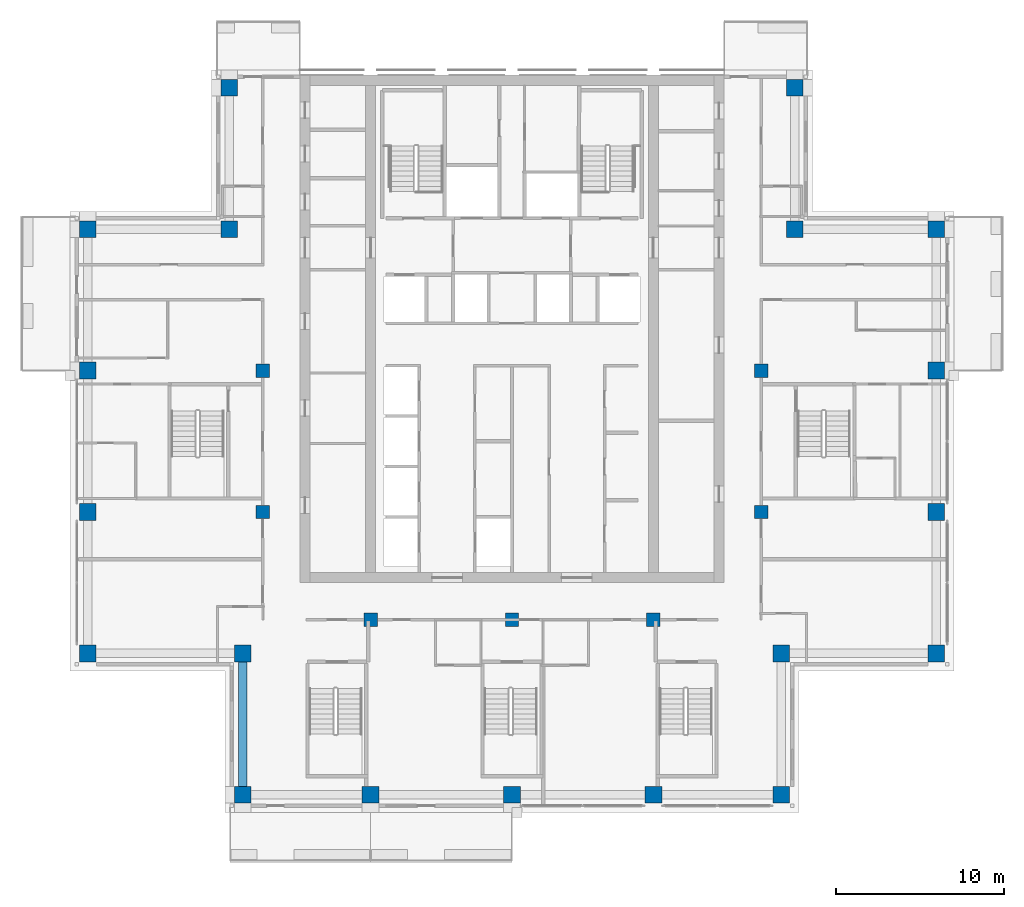
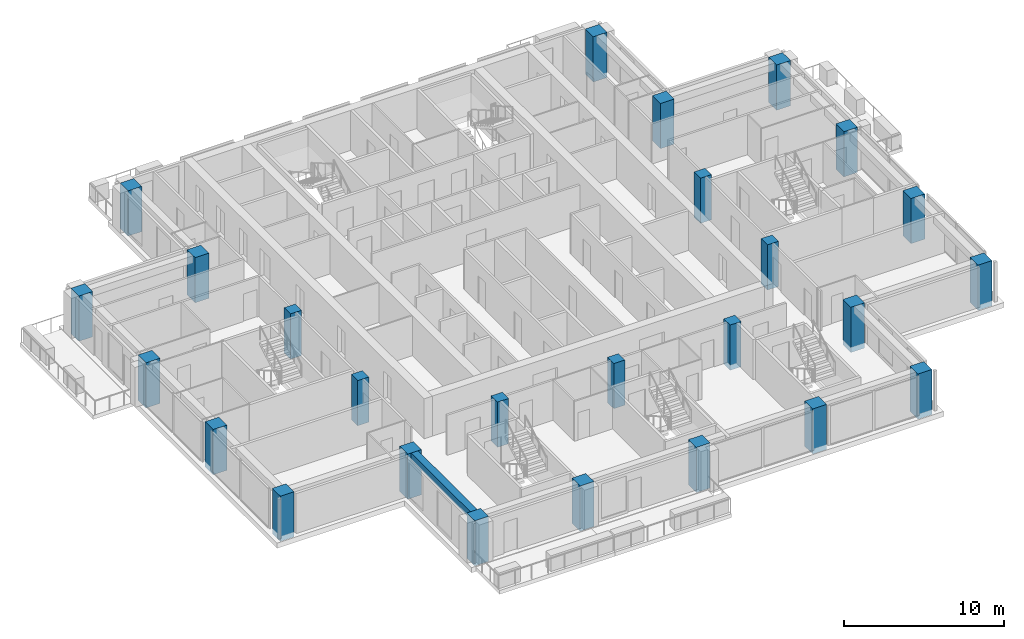
# One storey, part 1 of 15: 26 columns, 1 beam.
"""IFC4 building model written with IfcOpenShell, lengths in metres."""

from ifc_helpers import new_model, si_unit, direction, frame, origin, origin_2d, place, context, subcontext, project, spatial, rectangle, extrude, material, material_profile, profile_set, type_object, element, save


model = new_model("IFC4")

# Units and contexts
model_context = context("Model", 3, precision=1e-05, world=origin(), true_north=direction((0.0, 1.0)))
body_context = subcontext(model_context, "Body", "Model", "MODEL_VIEW")
ifc_project = project(units=[si_unit("LENGTHUNIT", "METRE"), si_unit("AREAUNIT", "SQUARE_METRE"), si_unit("VOLUMEUNIT", "CUBIC_METRE"), si_unit("PLANEANGLEUNIT", "RADIAN"), si_unit("MASSUNIT", "GRAM", prefix="KILO")], contexts=[model_context])

# Site, building, storey
site_placement = place(None, origin())
site = spatial("IfcSite", under=ifc_project, at=site_placement, CompositionType="ELEMENT")
building_placement = place(site_placement, origin())
building = spatial("IfcBuilding", under=site, at=building_placement, Name="Vermilion Ogive Tower", CompositionType="ELEMENT")
storey_placement = place(building_placement, frame((0.0, 0.0, 210.050048828125)))
storey = spatial("IfcBuildingStorey", under=building, at=storey_placement, Name="L55", CompositionType="ELEMENT", Elevation=210.050048828125)

# Columns
ifc_material_1 = material(Name="Concrete B60", Category="concrete")
ifc_material_profile_1 = material_profile(ifc_material_1, rectangle(XDim=1.0, YDim=1.0, at=origin_2d()), Name="1000 x 1000")
ifc_profile_set_1 = profile_set([ifc_material_profile_1], Name="Concrete B60")
column_type_1 = type_object("IfcColumnType", Name="Perimeter column 1000 x 1000 B60", PredefinedType="COLUMN", material=ifc_profile_set_1)
for number, where, z_axis, x_axis, name in (
    (1, (-16.0, -21.0, -0.400146484375), (0.0, 0.0, 1.0), (1.0, 0.0, 0.0), "COL-L55-P-0160-210"),
    (2, (-8.39990234375, -21.0, -0.400146484375), (0.0, 0.0, 1.0), (1.0, 0.0, 0.0), "COL-L55-P-0084-210"),
    (3, (0.0, -21.0, -0.400146484375), (0.0, 0.0, 1.0), (1.0, 0.0, 0.0), "COL-L55-P+0000-210"),
    (4, (8.39990234375, -21.0, -0.400146484375), (0.0, 0.0, 1.0), (1.0, 0.0, 0.0), "COL-L55-P+0084-210"),
    (5, (16.0, -21.0, -0.400146484375), (0.0, 0.0, 1.0), (1.0, 0.0, 0.0), "COL-L55-P+0160-210"),
    (6, (-25.199951171875, -12.60009765625, -0.400146484375), (0.0, 0.0, 1.0), (1.0, 0.0, 0.0), "COL-L55-P-0252-126"),
    (7, (-16.0, -12.60009765625, -0.400146484375), (0.0, 0.0, 1.0), (1.0, 0.0, 0.0), "COL-L55-P-0160-126"),
    (8, (16.0, -12.60009765625, -0.400146484375), (0.0, 0.0, 1.0), (1.0, 0.0, 0.0), "COL-L55-P+0160-126"),
    (9, (25.199951171875, -12.60009765625, -0.400146484375), (0.0, 0.0, 1.0), (1.0, 0.0, 0.0), "COL-L55-P+0252-126"),
    (10, (-25.199951171875, -4.199951171875, -0.400146484375), (0.0, 0.0, 1.0), (1.0, 0.0, 0.0), "COL-L55-P-0252-042"),
    (11, (25.199951171875, -4.199951171875, -0.400146484375), (0.0, 0.0, 1.0), (1.0, 0.0, 0.0), "COL-L55-P+0252-042"),
    (12, (-25.199951171875, 4.199951171875, -0.400146484375), (0.0, 0.0, 1.0), (1.0, 0.0, 0.0), "COL-L55-P-0252+042"),
    (13, (25.199951171875, 4.199951171875, -0.400146484375), (0.0, 0.0, 1.0), (1.0, 0.0, 0.0), "COL-L55-P+0252+042"),
    (14, (-25.199951171875, 12.60009765625, -0.400146484375), (0.0, 0.0, 1.0), (1.0, 0.0, 0.0), "COL-L55-P-0252+126"),
    (15, (-16.800048828125, 12.60009765625, -0.400146484375), (0.0, 0.0, 1.0), (1.0, 0.0, 0.0), "COL-L55-P-0168+126"),
    (16, (16.800048828125, 12.60009765625, -0.400146484375), (0.0, 0.0, 1.0), (1.0, 0.0, 0.0), "COL-L55-P+0168+126"),
    (17, (25.199951171875, 12.60009765625, -0.400146484375), (0.0, 0.0, 1.0), (1.0, 0.0, 0.0), "COL-L55-P+0252+126"),
    (18, (-16.800048828125, 21.0, -0.400146484375), (0.0, 0.0, 1.0), (1.0, 0.0, 0.0), "COL-L55-P-0168+210"),
    (19, (16.800048828125, 21.0, -0.400146484375), (0.0, 0.0, 1.0), (1.0, 0.0, 0.0), "COL-L55-P+0168+210"),
):
    element("IfcColumn", number, at=place(storey_placement, frame(where, z_axis=z_axis, x_axis=x_axis)), inside=storey, type_object=column_type_1, Name=name, PredefinedType="COLUMN", context=body_context, shape_type="SweptSolid", body=[
        extrude(rectangle(XDim=1.0, YDim=1.0, at=origin_2d()), origin(), (0.0, 0.0, 1.0), 3.4501953125),
    ])
ifc_material_2 = material(Name="Concrete B60", Category="concrete")
ifc_material_profile_2 = material_profile(ifc_material_2, rectangle(XDim=0.800048828125, YDim=0.800048828125, at=origin_2d()), Name="800 x 800")
ifc_profile_set_2 = profile_set([ifc_material_profile_2], Name="Concrete B60")
column_type_2 = type_object("IfcColumnType", Name="Ring column 800 x 800 B60", PredefinedType="COLUMN", material=ifc_profile_set_2)
for number, where, z_axis, x_axis, name in (
    (20, (-8.39990234375, -10.60009765625, -0.400146484375), (0.0, 0.0, 1.0), (1.0, 0.0, 0.0), "COL-L55-R-0084-106"),
    (21, (0.0, -10.60009765625, -0.400146484375), (0.0, 0.0, 1.0), (1.0, 0.0, 0.0), "COL-L55-R+0000-106"),
    (22, (8.39990234375, -10.60009765625, -0.400146484375), (0.0, 0.0, 1.0), (1.0, 0.0, 0.0), "COL-L55-R+0084-106"),
    (23, (-14.800048828125, -4.199951171875, -0.400146484375), (0.0, 0.0, 1.0), (1.0, 0.0, 0.0), "COL-L55-R-0148-042"),
    (24, (14.800048828125, -4.199951171875, -0.400146484375), (0.0, 0.0, 1.0), (1.0, 0.0, 0.0), "COL-L55-R+0148-042"),
    (25, (-14.800048828125, 4.199951171875, -0.400146484375), (0.0, 0.0, 1.0), (1.0, 0.0, 0.0), "COL-L55-R-0148+042"),
    (26, (14.800048828125, 4.199951171875, -0.400146484375), (0.0, 0.0, 1.0), (1.0, 0.0, 0.0), "COL-L55-R+0148+042"),
):
    element("IfcColumn", number, at=place(storey_placement, frame(where, z_axis=z_axis, x_axis=x_axis)), inside=storey, type_object=column_type_2, Name=name, PredefinedType="COLUMN", context=body_context, shape_type="SweptSolid", body=[
        extrude(rectangle(XDim=0.800048828125, YDim=0.800048828125, at=origin_2d()), origin(), (0.0, 0.0, 1.0), 3.4501953125),
    ])

# Beam
ifc_material_3 = material(Name="Concrete B45", Category="concrete")
ifc_material_profile_3 = material_profile(ifc_material_3, rectangle(XDim=0.5, YDim=0.550048828125, at=origin_2d()), Name="500 x 550")
ifc_profile_set_3 = profile_set([ifc_material_profile_3], Name="Concrete B45")
beam_type = type_object("IfcBeamType", Name="Edge beam 500 x 550 B45", PredefinedType="BEAM", material=ifc_profile_set_3)
beam_placement = place(storey_placement, frame((-16.0, -13.10009765625, 2.77490234375), z_axis=(0.0, -1.0, 0.0), x_axis=(1.0, 0.0, 0.0)))
element("IfcBeam", 27, at=beam_placement, inside=storey, type_object=beam_type, Name="L55-EB-18", PredefinedType="BEAM", context=body_context, shape_type="SweptSolid", body=[
    extrude(rectangle(XDim=0.5, YDim=0.550048828125, at=origin_2d()), origin(), (0.0, 0.0, 1.0), 7.39990234375),
])

save(model, "model.ifc")
